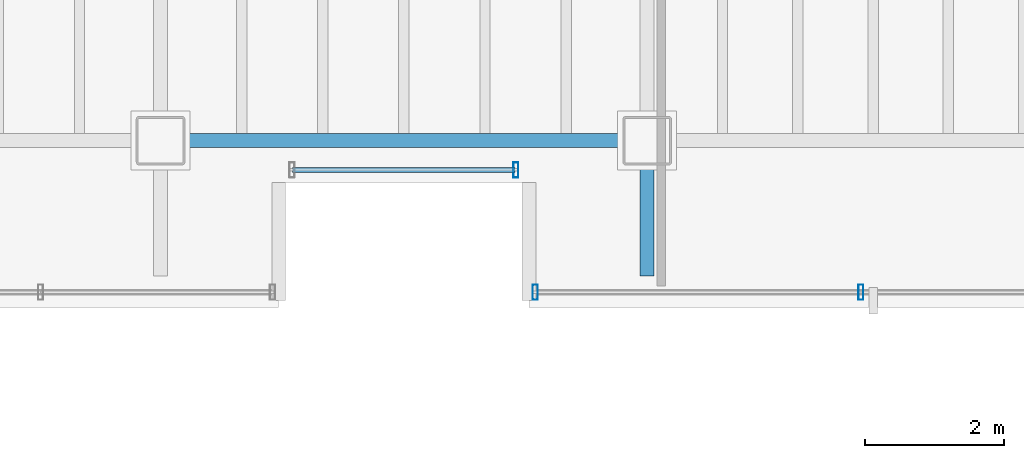
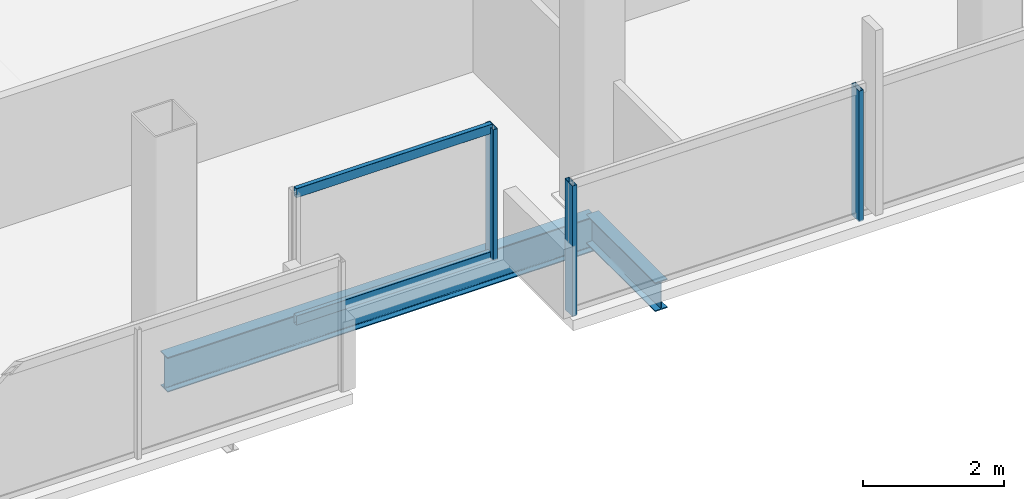
# One storey, part 5 of 16: 5 members, 2 beams, 2 elements without a shape of their own.
"""IFC4 building model written with IfcOpenShell, lengths in metres."""

from ifc_helpers import new_model, si_unit, direction, frame, origin, origin_2d, place, context, subcontext, project, spatial, hollow_rectangle, i_section, extrude, material, material_profile, profile_set, type_object, element, aggregate, save


model = new_model("IFC4")

# Units and contexts
model_context = context("Model", 3, precision=1e-05, world=origin(), true_north=direction((0.0, 1.0)))
body_context = subcontext(model_context, "Body", "Model", "MODEL_VIEW")
ifc_project = project(units=[si_unit("LENGTHUNIT", "METRE"), si_unit("AREAUNIT", "SQUARE_METRE"), si_unit("VOLUMEUNIT", "CUBIC_METRE"), si_unit("PLANEANGLEUNIT", "RADIAN"), si_unit("MASSUNIT", "GRAM", prefix="KILO")], contexts=[model_context])

# Site, building, storey
site_placement = place(None, origin())
site = spatial("IfcSite", under=ifc_project, at=site_placement, CompositionType="ELEMENT")
building_placement = place(site_placement, origin())
building = spatial("IfcBuilding", under=site, at=building_placement, Name="Noeulbin Bourse Tower", CompositionType="ELEMENT")
storey_placement = place(building_placement, frame((0.0, 0.0, 277.39990234375)))
storey = spatial("IfcBuildingStorey", under=building, at=storey_placement, Name="L69", CompositionType="ELEMENT", Elevation=277.39990234375)

# Beams
ifc_material_1 = material(Name="Steel S355", Category="steel")
ifc_material_profile_1 = material_profile(ifc_material_1, i_section(OverallWidth=0.199951171875, OverallDepth=0.5, WebThickness=0.010009765625, FlangeThickness=0.01611328125, FilletRadius=0.02001953125, at=origin_2d()), Name="H-500x200x10x16", Category="LoadBearing")
ifc_profile_set_1 = profile_set([ifc_material_profile_1], Name="Steel S355")
beam_type_1 = type_object("IfcBeamType", Name="BM-GRD-500", PredefinedType="USERDEFINED", material=ifc_profile_set_1)
beam_1_placement = place(storey_placement, frame((31.0, 18.050048828125, -0.429931640625), z_axis=(0.0, 1.0, 0.0), x_axis=(-1.0, 0.0, 0.0)))
element("IfcBeam", 1, at=beam_1_placement, inside=storey, type_object=beam_type_1, Name="Tower Primary Girder NS L69-3.1", ObjectType="GIRDER", PredefinedType="USERDEFINED", context=body_context, shape_type="SweptSolid", body=[
    extrude(i_section(OverallWidth=0.199951171875, OverallDepth=0.5, WebThickness=0.010009765625, FlangeThickness=0.01611328125, FilletRadius=0.02001953125, at=origin_2d()), origin(), (0.0, 0.0, 1.0), 1.949951171875),
])
ifc_material_profile_2 = material_profile(ifc_material_1, i_section(OverallWidth=0.199951171875, OverallDepth=0.60009765625, WebThickness=0.010986328125, FlangeThickness=0.01708984375, FilletRadius=0.02197265625, at=origin_2d()), Name="H-600x200x11x17", Category="LoadBearing")
ifc_profile_set_2 = profile_set([ifc_material_profile_2], Name="Steel S355")
beam_type_2 = type_object("IfcBeamType", Name="BM-GRD-600", PredefinedType="USERDEFINED", material=ifc_profile_set_2)
beam_2_placement = place(storey_placement, frame((24.0, 20.0, -0.47998046875), z_axis=(1.0, 0.0, 0.0), x_axis=(0.0, 1.0, 0.0)))
element("IfcBeam", 2, at=beam_2_placement, inside=storey, type_object=beam_type_2, Name="Tower Primary Girder EW L69-1.2", ObjectType="GIRDER", PredefinedType="USERDEFINED", context=body_context, shape_type="SweptSolid", body=[
    extrude(i_section(OverallWidth=0.199951171875, OverallDepth=0.60009765625, WebThickness=0.010986328125, FlangeThickness=0.01708984375, FilletRadius=0.02197265625, at=origin_2d()), origin(), (0.0, 0.0, 1.0), 7.0),
])

# Curtain wall, member
ifc_material_2 = material(Name="High-Selectivity Low-Iron Glazing", Category="glass")
curtain_wall_type = type_object("IfcCurtainWallType", Name="CW-SYS-4", PredefinedType="NOTDEFINED", material=ifc_material_2)
curtain_wall_1_placement = place(storey_placement, origin())
curtain_wall_1 = element("IfcCurtainWall", 3, at=curtain_wall_1_placement, inside=storey, type_object=curtain_wall_type, Name="Unitised Curtain Wall CW-L69-SREC", PredefinedType="NOTDEFINED")
ifc_material_3 = material(Name="Anodised Aluminium 6063-T6", Category="aluminium")
ifc_material_profile_3 = material_profile(ifc_material_3, hollow_rectangle(XDim=0.074951171875, YDim=0.219970703125, WallThickness=0.0048828125, InnerFilletRadius=0.00244140625, OuterFilletRadius=0.0048828125, at=origin_2d()), Name="ALU-MULL-75x220x5", Category="LoadBearing")
ifc_profile_set_3 = profile_set([ifc_material_profile_3], Name="Anodised Aluminium 6063-T6")
member_type_1 = type_object("IfcMemberType", Name="CW-SYS-4-MUL", PredefinedType="MULLION", material=ifc_profile_set_3)
member_1_placement = place(storey_placement, frame((29.110107421875, 19.580078125, -0.02001953125), z_axis=(0.0, 0.0, 1.0), x_axis=(1.0, 0.0, 0.0)))
member_1 = element("IfcMember", 4, at=member_1_placement, type_object=member_type_1, Name="Curtain Wall Mullion CW-L69-SREC-M01", PredefinedType="MULLION", context=body_context, shape_type="SweptSolid", body=[
    extrude(hollow_rectangle(XDim=0.074951171875, YDim=0.219970703125, WallThickness=0.0048828125, InnerFilletRadius=0.00244140625, OuterFilletRadius=0.0048828125, at=origin_2d()), origin(), (0.0, 0.0, 1.0), 2.260009765625),
])

# Curtain wall, members
curtain_wall_2_placement = place(storey_placement, origin())
curtain_wall_2 = element("IfcCurtainWall", 5, at=curtain_wall_2_placement, inside=storey, type_object=curtain_wall_type, Name="Unitised Curtain Wall CW-L69-S3", PredefinedType="NOTDEFINED")
member_2_placement = place(storey_placement, frame((29.389892578125, 17.820068359375, -0.02001953125), z_axis=(0.0, 0.0, 1.0), x_axis=(1.0, 0.0, 0.0)))
member_2 = element("IfcMember", 6, at=member_2_placement, type_object=member_type_1, Name="Curtain Wall Mullion CW-L69-S3-M00", PredefinedType="MULLION", context=body_context, shape_type="SweptSolid", body=[
    extrude(hollow_rectangle(XDim=0.074951171875, YDim=0.219970703125, WallThickness=0.0048828125, InnerFilletRadius=0.00244140625, OuterFilletRadius=0.0048828125, at=origin_2d()), origin(), (0.0, 0.0, 1.0), 2.260009765625),
])
member_3_placement = place(storey_placement, frame((34.0732421875, 17.820068359375, -0.02001953125), z_axis=(0.0, 0.0, 1.0), x_axis=(1.0, 0.0, 0.0)))
member_3 = element("IfcMember", 7, at=member_3_placement, type_object=member_type_1, Name="Curtain Wall Mullion CW-L69-S3-M01", PredefinedType="MULLION", context=body_context, shape_type="SweptSolid", body=[
    extrude(hollow_rectangle(XDim=0.074951171875, YDim=0.219970703125, WallThickness=0.0048828125, InnerFilletRadius=0.00244140625, OuterFilletRadius=0.0048828125, at=origin_2d()), origin(), (0.0, 0.0, 1.0), 2.260009765625),
])
aggregate(curtain_wall_2, [member_2, member_3])

# Member
ifc_material_profile_4 = material_profile(ifc_material_3, hollow_rectangle(XDim=0.074951171875, YDim=0.159912109375, WallThickness=0.0048828125, InnerFilletRadius=0.00244140625, OuterFilletRadius=0.0048828125, at=origin_2d()), Name="ALU-TRAN-75x160x5", Category="LoadBearing")
ifc_profile_set_4 = profile_set([ifc_material_profile_4], Name="Anodised Aluminium 6063-T6")
member_type_2 = type_object("IfcMemberType", Name="CW-SYS-4-TRN", PredefinedType="USERDEFINED", material=ifc_profile_set_4)
member_4_placement = place(storey_placement, frame((25.89990234375, 19.580078125, 0.010009765625), z_axis=(1.0, 0.0, 0.0), x_axis=(0.0, 1.0, 0.0)))
member_4 = element("IfcMember", 8, at=member_4_placement, type_object=member_type_2, Name="Curtain Wall Transom CW-L69-SREC-T00", ObjectType="TRANSOM", PredefinedType="USERDEFINED", context=body_context, shape_type="SweptSolid", body=[
    extrude(hollow_rectangle(XDim=0.074951171875, YDim=0.159912109375, WallThickness=0.0048828125, InnerFilletRadius=0.00244140625, OuterFilletRadius=0.0048828125, at=origin_2d()), origin(), (0.0, 0.0, 1.0), 3.2001953125),
])

member_5_placement = place(storey_placement, frame((25.89990234375, 19.580078125, 2.210205078125), z_axis=(1.0, 0.0, 0.0), x_axis=(0.0, 1.0, 0.0)))
member_5 = element("IfcMember", 9, at=member_5_placement, type_object=member_type_2, Name="Curtain Wall Transom CW-L69-SREC-T01", ObjectType="TRANSOM", PredefinedType="USERDEFINED", context=body_context, shape_type="SweptSolid", body=[
    extrude(hollow_rectangle(XDim=0.074951171875, YDim=0.159912109375, WallThickness=0.0048828125, InnerFilletRadius=0.00244140625, OuterFilletRadius=0.0048828125, at=origin_2d()), origin(), (0.0, 0.0, 1.0), 3.2001953125),
])

aggregate(curtain_wall_1, [member_1, member_4, member_5])

save(model, "model.ifc")
